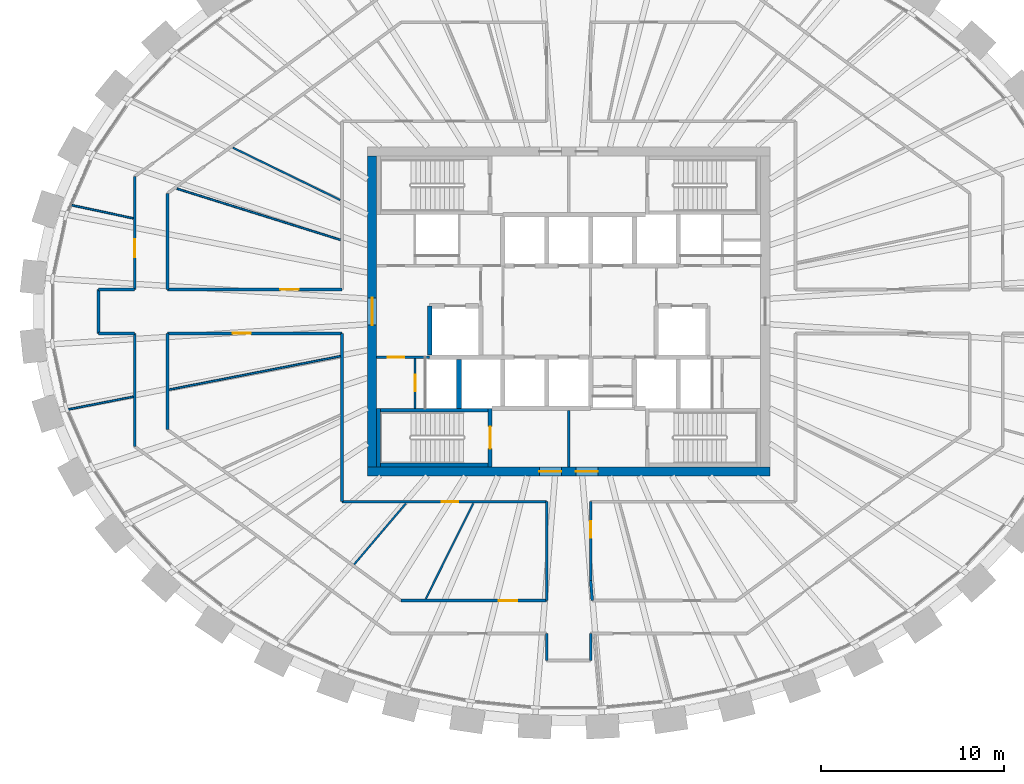
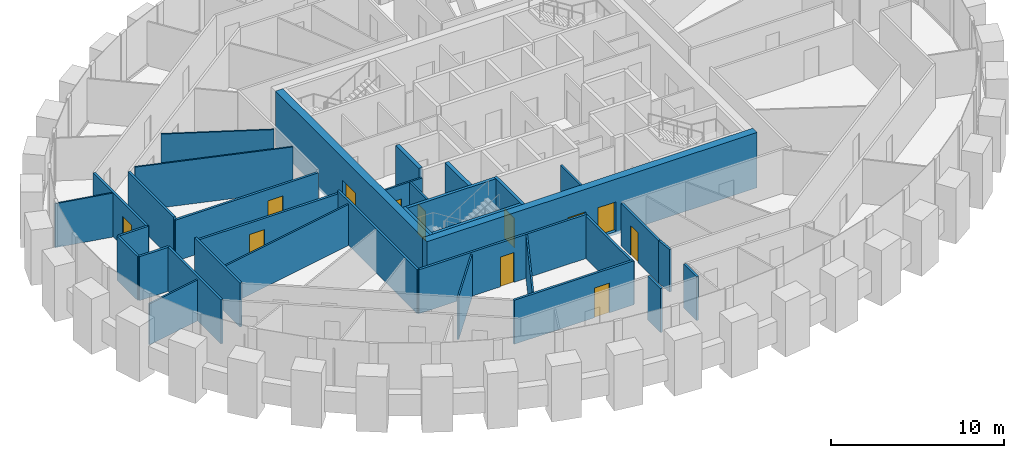
# One storey, part 6 of 11: 35 walls, 12 doors, 12 openings.
"""IFC4 building model written with IfcOpenShell, lengths in metres."""

from ifc_helpers import new_model, si_unit, direction, frame, frame_2d, origin, place, context, subcontext, project, spatial, rectangle, extrude, source, transform, mapped, material, layer, layer_set, type_object, element, fill, save


model = new_model("IFC4")

# Units and contexts
model_context = context("Model", 3, precision=1e-05, world=origin(), true_north=direction((0.0, 1.0)))
body_context = subcontext(model_context, "Body", "Model", "MODEL_VIEW")
ifc_project = project(units=[si_unit("LENGTHUNIT", "METRE"), si_unit("AREAUNIT", "SQUARE_METRE"), si_unit("VOLUMEUNIT", "CUBIC_METRE"), si_unit("PLANEANGLEUNIT", "RADIAN"), si_unit("MASSUNIT", "GRAM", prefix="KILO")], contexts=[model_context])

# Site, building, storey
site_placement = place(None, origin())
site = spatial("IfcSite", under=ifc_project, at=site_placement, CompositionType="ELEMENT")
building_placement = place(site_placement, origin())
building = spatial("IfcBuilding", under=site, at=building_placement, Name="Embergate Tower", CompositionType="ELEMENT")
storey_placement = place(building_placement, frame((0.0, 0.0, 324.699951171875)))
storey = spatial("IfcBuildingStorey", under=building, at=storey_placement, Name="L76", CompositionType="ELEMENT", Elevation=324.699951171875)

# Wall, openings, doors
ifc_material_1 = material(Name="Concrete C50", Category="concrete")
ifc_layer_1 = layer(ifc_material_1, 0.5)
ifc_layer_set_1 = layer_set([ifc_layer_1], Name="Concrete C50")
wall_type_1 = type_object("IfcWallType", Name="Core outer wall C50 500", PredefinedType="SHEAR", material=ifc_layer_set_1)
shared_shape_1 = source(origin(), body_context, "Body", "SweptSolid", [
    extrude(rectangle(XDim=22.0, YDim=0.5, at=frame_2d((11.0, 0.0))), origin(), (0.0, 0.0, 1.0), 3.89990234375),
])
wall_1_placement = place(storey_placement, frame((-11.0, -8.75, -0.199951171875), z_axis=(0.0, 0.0, 1.0), x_axis=(1.0, 0.0, 0.0)))
wall_1 = element("IfcWall", 1, at=wall_1_placement, inside=storey, type_object=wall_type_1, Name="CW-L76-S", PredefinedType="SHEAR", context=body_context, shape_type="MappedRepresentation", body=[
    mapped(shared_shape_1, transform((0.0, 0.0, 0.0))),
])
shared_shape_2 = source(origin(), body_context, "Body", "SweptSolid", [
    extrude(rectangle(XDim=1.199951171875, YDim=2.10009765625, at=frame_2d((0.60009765625, 1.050048828125))), frame((0.0, 0.260009765625, 0.0), z_axis=(0.0, -1.0, 0.0), x_axis=(1.0, 0.0, 0.0)), (0.0, 0.0, 1.0), 0.52001953125),
])
opening_1_placement = place(wall_1_placement, frame((9.39990234375, 0.0, 0.199951171875)))
opening_1 = element("IfcOpeningElement", 2, at=opening_1_placement, cuts=wall_1, Name="Opening IF-1", PredefinedType="OPENING", context=body_context, shape_type="MappedRepresentation", body=[
    mapped(shared_shape_2, transform((0.0, 0.0, 0.0))),
])
opening_2_placement = place(wall_1_placement, frame((11.39990234375, 0.0, 0.199951171875)))
opening_2 = element("IfcOpeningElement", 3, at=opening_2_placement, cuts=wall_1, Name="Opening IF-1", PredefinedType="OPENING", context=body_context, shape_type="MappedRepresentation", body=[
    mapped(shared_shape_2, transform((0.0, 0.0, 0.0))),
])
ifc_material_2 = material(Name="Escape fire door 1200")
door_type_1 = type_object("IfcDoorType", Name="Escape fire door 1200", OperationType="SINGLE_SWING_LEFT", PredefinedType="DOOR", material=ifc_material_2)
shared_shape_3 = source(origin(), body_context, "Body", "SweptSolid", [
    extrude(rectangle(XDim=1.199951171875, YDim=2.10009765625, at=frame_2d((0.60009765625, 1.050048828125))), frame((0.0, 0.02490234375, 0.0), z_axis=(0.0, -1.0, 0.0), x_axis=(1.0, 0.0, 0.0)), (0.0, 0.0, 1.0), 0.050048828125),
])
door_1_placement = place(opening_1_placement, origin())
door_1 = element("IfcDoor", 4, at=door_1_placement, inside=storey, type_object=door_type_1, Name="IF-1 door", OperationType="SINGLE_SWING_RIGHT", OverallHeight=2.10009765625, OverallWidth=1.199951171875, PredefinedType="DOOR", context=body_context, shape_type="MappedRepresentation", body=[
    mapped(shared_shape_3, transform((0.0, 0.0, 0.0))),
])
fill(opening_1, door_1)
door_2_placement = place(opening_2_placement, origin())
door_2 = element("IfcDoor", 5, at=door_2_placement, inside=storey, type_object=door_type_1, Name="IF-1 door", OperationType="SINGLE_SWING_RIGHT", OverallHeight=2.10009765625, OverallWidth=1.199951171875, PredefinedType="DOOR", context=body_context, shape_type="MappedRepresentation", body=[
    mapped(shared_shape_3, transform((0.0, 0.0, 0.0))),
])
fill(opening_2, door_2)

# Wall, opening, door
shared_shape_4 = source(origin(), body_context, "Body", "SweptSolid", [
    extrude(rectangle(XDim=17.0, YDim=0.5, at=frame_2d((8.5, 0.0))), origin(), (0.0, 0.0, 1.0), 3.89990234375),
])
wall_2_placement = place(storey_placement, frame((-10.75, -8.5, -0.199951171875), z_axis=(0.0, 0.0, 1.0), x_axis=(0.0, 1.0, 0.0)))
wall_2 = element("IfcWall", 6, at=wall_2_placement, inside=storey, type_object=wall_type_1, Name="CW-L76-W", PredefinedType="SHEAR", context=body_context, shape_type="MappedRepresentation", body=[
    mapped(shared_shape_4, transform((0.0, 0.0, 0.0))),
])
shared_shape_5 = source(origin(), body_context, "Body", "SweptSolid", [
    extrude(rectangle(XDim=1.5, YDim=2.10009765625, at=frame_2d((0.75, 1.050048828125))), frame((0.0, 0.260009765625, 0.0), z_axis=(0.0, -1.0, 0.0), x_axis=(1.0, 0.0, 0.0)), (0.0, 0.0, 1.0), 0.52001953125),
])
opening_3_placement = place(wall_2_placement, frame((7.75, 0.0, 0.199951171875)))
opening_3 = element("IfcOpeningElement", 7, at=opening_3_placement, cuts=wall_2, Name="Opening IF-3", PredefinedType="OPENING", context=body_context, shape_type="MappedRepresentation", body=[
    mapped(shared_shape_5, transform((0.0, 0.0, 0.0))),
])
ifc_material_3 = material(Name="Lobby fire door pair 1500")
door_type_2 = type_object("IfcDoorType", Name="Lobby fire door pair 1500", OperationType="DOUBLE_DOOR_SINGLE_SWING", PredefinedType="DOOR", material=ifc_material_3)
shared_shape_6 = source(origin(), body_context, "Body", "SweptSolid", [
    extrude(rectangle(XDim=1.5, YDim=2.10009765625, at=frame_2d((0.75, 1.050048828125))), frame((0.0, 0.02490234375, 0.0), z_axis=(0.0, -1.0, 0.0), x_axis=(1.0, 0.0, 0.0)), (0.0, 0.0, 1.0), 0.050048828125),
])
door_3_placement = place(opening_3_placement, origin())
door_3 = element("IfcDoor", 8, at=door_3_placement, inside=storey, type_object=door_type_2, Name="IF-3 door", OperationType="DOUBLE_DOOR_SINGLE_SWING", OverallHeight=2.10009765625, OverallWidth=1.5, PredefinedType="DOOR", context=body_context, shape_type="MappedRepresentation", body=[
    mapped(shared_shape_6, transform((0.0, 0.0, 0.0))),
])
fill(opening_3, door_3)

# Walls
ifc_layer_2 = layer(ifc_material_1, 0.25)
ifc_layer_set_2 = layer_set([ifc_layer_2], Name="Concrete C50")
wall_type_2 = type_object("IfcWallType", Name="Hoistway wall reinforced concrete 250", PredefinedType="SHEAR", material=ifc_layer_set_2)
shared_shape_7 = source(origin(), body_context, "Body", "SweptSolid", [
    extrude(rectangle(XDim=2.675048828125, YDim=0.25, at=frame_2d((1.33740234375, 0.0))), origin(), (0.0, 0.0, 1.0), 3.699951171875),
])
for number, where, z_axis, x_axis, name in (
    (9, (-6.0, -5.300048828125, 0.0), (0.0, 0.0, 1.0), (0.0, 1.0, 0.0), "HW-1 wall"),
    (10, (-7.60009765625, 0.300048828125, 0.0), (0.0, 0.0, 1.0), (0.0, -1.0, 0.0), "HW-1 wall"),
):
    element("IfcWall", number, at=place(storey_placement, frame(where, z_axis=z_axis, x_axis=x_axis)), inside=storey, type_object=wall_type_2, Name=name, PredefinedType="SHEAR", context=body_context, shape_type="MappedRepresentation", body=[
        mapped(shared_shape_7, transform((0.0, 0.0, 0.0))),
    ])
ifc_layer_3 = layer(ifc_material_1, 0.199951171875)
ifc_layer_set_3 = layer_set([ifc_layer_3], Name="Concrete C50")
wall_type_3 = type_object("IfcWallType", Name="Stair enclosure wall reinforced concrete 250", PredefinedType="SHEAR", material=ifc_layer_set_3)
shared_shape_8 = source(origin(), body_context, "Body", "SweptSolid", [
    extrude(rectangle(XDim=6.300048828125, YDim=0.199951171875, at=frame_2d((3.14990234375, 0.0))), origin(), (0.0, 0.0, 1.0), 3.699951171875),
])
wall_3_placement = place(storey_placement, frame((-10.5, -5.39990234375, 0.0), z_axis=(0.0, 0.0, 1.0), x_axis=(1.0, 0.0, 0.0)))
element("IfcWall", 11, at=wall_3_placement, inside=storey, type_object=wall_type_3, Name="SE-1 wall", PredefinedType="SHEAR", context=body_context, shape_type="MappedRepresentation", body=[
    mapped(shared_shape_8, transform((0.0, 0.0, 0.0))),
])

# Wall, opening, door
ifc_material_4 = material(Name="Core partition blockwork 120")
ifc_layer_4 = layer(ifc_material_4, 0.1201171875)
ifc_layer_set_4 = layer_set([ifc_layer_4], Name="Core partition blockwork 120")
wall_type_4 = type_object("IfcWallType", Name="Core partition blockwork 120", PredefinedType="PARTITIONING", material=ifc_layer_set_4)
shared_shape_9 = source(origin(), body_context, "Body", "SweptSolid", [
    extrude(rectangle(XDim=2.739990234375, YDim=0.1201171875, at=frame_2d((1.3701171875, 0.0))), origin(), (0.0, 0.0, 1.0), 3.10009765625),
])
wall_4_placement = place(storey_placement, frame((-8.39990234375, -2.56005859375, 0.0), z_axis=(0.0, 0.0, 1.0), x_axis=(0.0, -1.0, 0.0)))
wall_4 = element("IfcWall", 12, at=wall_4_placement, inside=storey, type_object=wall_type_4, Name="IP-3 wall", PredefinedType="PARTITIONING", context=body_context, shape_type="MappedRepresentation", body=[
    mapped(shared_shape_9, transform((0.0, 0.0, 0.0))),
])
shared_shape_10 = source(origin(), body_context, "Body", "SweptSolid", [
    extrude(rectangle(XDim=0.89990234375, YDim=2.10009765625, at=frame_2d((0.449951171875, 1.050048828125))), frame((0.0, 0.070068359375, 0.0), z_axis=(0.0, -1.0, 0.0), x_axis=(1.0, 0.0, 0.0)), (0.0, 0.0, 1.0), 0.14013671875),
])
opening_4_placement = place(wall_4_placement, frame((0.889892578125, 0.0, 0.0)))
opening_4 = element("IfcOpeningElement", 13, at=opening_4_placement, cuts=wall_4, Name="Opening ID-1", PredefinedType="OPENING", context=body_context, shape_type="MappedRepresentation", body=[
    mapped(shared_shape_10, transform((0.0, 0.0, 0.0))),
])
ifc_material_5 = material(Name="Interior door 900")
door_type_3 = type_object("IfcDoorType", Name="Interior door 900", OperationType="SINGLE_SWING_LEFT", PredefinedType="DOOR", material=ifc_material_5)
shared_shape_11 = source(origin(), body_context, "Body", "SweptSolid", [
    extrude(rectangle(XDim=0.89990234375, YDim=2.10009765625, at=frame_2d((0.449951171875, 1.050048828125))), frame((0.0, 0.02490234375, 0.0), z_axis=(0.0, -1.0, 0.0), x_axis=(1.0, 0.0, 0.0)), (0.0, 0.0, 1.0), 0.050048828125),
])
door_4_placement = place(opening_4_placement, origin())
door_4 = element("IfcDoor", 14, at=door_4_placement, inside=storey, type_object=door_type_3, Name="ID-1 door", OperationType="SINGLE_SWING_RIGHT", OverallHeight=2.10009765625, OverallWidth=0.89990234375, PredefinedType="DOOR", context=body_context, shape_type="MappedRepresentation", body=[
    mapped(shared_shape_11, transform((0.0, 0.0, 0.0))),
])
fill(opening_4, door_4)

shared_shape_12 = source(origin(), body_context, "Body", "SweptSolid", [
    extrude(rectangle(XDim=3.199951171875, YDim=0.199951171875, at=frame_2d((1.60009765625, 0.0))), origin(), (0.0, 0.0, 1.0), 3.699951171875),
])
wall_5_placement = place(storey_placement, frame((-4.300048828125, -8.5, 0.0), z_axis=(0.0, 0.0, 1.0), x_axis=(0.0, 1.0, 0.0)))
wall_5 = element("IfcWall", 15, at=wall_5_placement, inside=storey, type_object=wall_type_3, Name="SE-1 wall", PredefinedType="SHEAR", context=body_context, shape_type="MappedRepresentation", body=[
    mapped(shared_shape_12, transform((0.0, 0.0, 0.0))),
])
shared_shape_13 = source(origin(), body_context, "Body", "SweptSolid", [
    extrude(rectangle(XDim=1.199951171875, YDim=2.10009765625, at=frame_2d((0.60009765625, 1.050048828125))), frame((0.0, 0.10986328125, 0.0), z_axis=(0.0, -1.0, 0.0), x_axis=(1.0, 0.0, 0.0)), (0.0, 0.0, 1.0), 0.219970703125),
])
opening_5_placement = place(wall_5_placement, frame((1.0, 0.0, 0.0)))
opening_5 = element("IfcOpeningElement", 16, at=opening_5_placement, cuts=wall_5, Name="Opening IF-2", PredefinedType="OPENING", context=body_context, shape_type="MappedRepresentation", body=[
    mapped(shared_shape_13, transform((0.0, 0.0, 0.0))),
])
ifc_material_6 = material(Name="Stair enclosure door 1200")
door_type_4 = type_object("IfcDoorType", Name="Stair enclosure door 1200", OperationType="SINGLE_SWING_LEFT", PredefinedType="DOOR", material=ifc_material_6)
door_5_placement = place(opening_5_placement, origin())
door_5 = element("IfcDoor", 17, at=door_5_placement, inside=storey, type_object=door_type_4, Name="IF-2 door", OperationType="SINGLE_SWING_LEFT", OverallHeight=2.10009765625, OverallWidth=1.199951171875, PredefinedType="DOOR", context=body_context, shape_type="MappedRepresentation", body=[
    mapped(shared_shape_3, transform((0.0, 0.0, 0.0))),
])
fill(opening_5, door_5)

# Walls
shared_shape_14 = source(origin(), body_context, "Body", "SweptSolid", [
    extrude(rectangle(XDim=6.298095703125, YDim=0.199951171875, at=frame_2d((3.14892578125, 0.0))), origin(), (0.0, 0.0, 1.0), 3.699951171875),
])
wall_6_placement = place(storey_placement, frame((-10.5, -8.39990234375, 0.0), z_axis=(0.0, 0.0, 1.0), x_axis=(1.0, 0.0, 0.0)))
element("IfcWall", 18, at=wall_6_placement, inside=storey, type_object=wall_type_3, Name="SE-1 wall", PredefinedType="SHEAR", context=body_context, shape_type="MappedRepresentation", body=[
    mapped(shared_shape_14, transform((0.0, 0.0, 0.0))),
])
shared_shape_15 = source(origin(), body_context, "Body", "SweptSolid", [
    extrude(rectangle(XDim=3.197998046875, YDim=0.199951171875, at=frame_2d((1.59912109375, 0.0))), origin(), (0.0, 0.0, 1.0), 3.699951171875),
])
wall_7_placement = place(storey_placement, frame((-10.39990234375, -5.302001953125, 0.0), z_axis=(0.0, 0.0, 1.0), x_axis=(0.0, -1.0, 0.0)))
element("IfcWall", 19, at=wall_7_placement, inside=storey, type_object=wall_type_3, Name="SE-1 wall", PredefinedType="SHEAR", context=body_context, shape_type="MappedRepresentation", body=[
    mapped(shared_shape_15, transform((0.0, 0.0, 0.0))),
])
ifc_material_7 = material(Name="Corridor wall dry-lined 150")
ifc_layer_5 = layer(ifc_material_7, 0.14990234375)
ifc_layer_set_5 = layer_set([ifc_layer_5], Name="Corridor wall dry-lined 150")
wall_type_5 = type_object("IfcWallType", Name="Corridor wall dry-lined 150", PredefinedType="PARTITIONING", material=ifc_layer_set_5)
shared_shape_16 = source(origin(), body_context, "Body", "SweptSolid", [
    extrude(rectangle(XDim=9.199951171875, YDim=0.14990234375, at=frame_2d((4.60009765625, 0.0))), origin(), (0.0, 0.0, 1.0), 3.10009765625),
])
wall_8_placement = place(storey_placement, frame((-12.39990234375, -10.39990234375, 0.0), z_axis=(0.0, 0.0, 1.0), x_axis=(0.0, 1.0, 0.0)))
element("IfcWall", 20, at=wall_8_placement, inside=storey, type_object=wall_type_5, Name="IP-2 wall", PredefinedType="PARTITIONING", context=body_context, shape_type="MappedRepresentation", body=[
    mapped(shared_shape_16, transform((0.0, 0.0, 0.0))),
])

# Wall, opening, door
shared_shape_17 = source(origin(), body_context, "Body", "SweptSolid", [
    extrude(rectangle(XDim=11.199951171875, YDim=0.14990234375, at=frame_2d((5.60009765625, 0.0))), origin(), (0.0, 0.0, 1.0), 3.10009765625),
])
wall_9_placement = place(storey_placement, frame((-1.199951171875, -10.39990234375, 0.0), z_axis=(0.0, 0.0, 1.0), x_axis=(-1.0, 0.0, 0.0)))
wall_9 = element("IfcWall", 21, at=wall_9_placement, inside=storey, type_object=wall_type_5, Name="IP-2 wall", PredefinedType="PARTITIONING", context=body_context, shape_type="MappedRepresentation", body=[
    mapped(shared_shape_17, transform((0.0, 0.0, 0.0))),
])
shared_shape_18 = source(origin(), body_context, "Body", "SweptSolid", [
    extrude(rectangle(XDim=0.89990234375, YDim=2.10009765625, at=frame_2d((0.449951171875, 1.050048828125))), frame((0.0, 0.0849609375, 0.0), z_axis=(0.0, -1.0, 0.0), x_axis=(1.0, 0.0, 0.0)), (0.0, 0.0, 1.0), 0.169921875),
])
opening_6_placement = place(wall_9_placement, frame((4.85009765625, 0.0, 0.0)))
opening_6 = element("IfcOpeningElement", 22, at=opening_6_placement, cuts=wall_9, Name="Opening IF-1c", PredefinedType="OPENING", context=body_context, shape_type="MappedRepresentation", body=[
    mapped(shared_shape_18, transform((0.0, 0.0, 0.0))),
])
ifc_material_8 = material(Name="Escape fire door 900")
door_type_5 = type_object("IfcDoorType", Name="Escape fire door 900", OperationType="SINGLE_SWING_LEFT", PredefinedType="DOOR", material=ifc_material_8)
door_6_placement = place(opening_6_placement, origin())
door_6 = element("IfcDoor", 23, at=door_6_placement, inside=storey, type_object=door_type_5, Name="IF-1 door", OperationType="SINGLE_SWING_RIGHT", OverallHeight=2.10009765625, OverallWidth=0.89990234375, PredefinedType="DOOR", context=body_context, shape_type="MappedRepresentation", body=[
    mapped(shared_shape_11, transform((0.0, 0.0, 0.0))),
])
fill(opening_6, door_6)

# Wall
shared_shape_19 = source(origin(), body_context, "Body", "SweptSolid", [
    extrude(rectangle(XDim=2.39990234375, YDim=0.14990234375, at=frame_2d((1.199951171875, 0.0))), origin(), (0.0, 0.0, 1.0), 3.10009765625),
])
wall_10_placement = place(storey_placement, frame((-25.714111328125, -1.199951171875, 0.0), z_axis=(0.0, 0.0, 1.0), x_axis=(0.0, 1.0, 0.0)))
element("IfcWall", 24, at=wall_10_placement, inside=storey, type_object=wall_type_5, Name="IP-2 wall", PredefinedType="PARTITIONING", context=body_context, shape_type="MappedRepresentation", body=[
    mapped(shared_shape_19, transform((0.0, 0.0, 0.0))),
])

# Wall, opening, door
shared_shape_20 = source(origin(), body_context, "Body", "SweptSolid", [
    extrude(rectangle(XDim=2.89990234375, YDim=0.1201171875, at=frame_2d((1.449951171875, 0.0))), origin(), (0.0, 0.0, 1.0), 3.10009765625),
])
wall_11_placement = place(storey_placement, frame((-7.60009765625, -2.5, 0.0), z_axis=(0.0, 0.0, 1.0), x_axis=(-1.0, 0.0, 0.0)))
wall_11 = element("IfcWall", 25, at=wall_11_placement, inside=storey, type_object=wall_type_4, Name="IP-3 wall", PredefinedType="PARTITIONING", context=body_context, shape_type="MappedRepresentation", body=[
    mapped(shared_shape_20, transform((0.0, 0.0, 0.0))),
])
opening_7_placement = place(wall_11_placement, frame((1.39990234375, 0.0, 0.0)))
opening_7 = element("IfcOpeningElement", 26, at=opening_7_placement, cuts=wall_11, Name="Opening ID-1", PredefinedType="OPENING", context=body_context, shape_type="MappedRepresentation", body=[
    mapped(shared_shape_10, transform((0.0, 0.0, 0.0))),
])
door_7_placement = place(opening_7_placement, origin())
door_7 = element("IfcDoor", 27, at=door_7_placement, inside=storey, type_object=door_type_3, Name="ID-1 door", OperationType="SINGLE_SWING_LEFT", OverallHeight=2.10009765625, OverallWidth=0.89990234375, PredefinedType="DOOR", context=body_context, shape_type="MappedRepresentation", body=[
    mapped(shared_shape_11, transform((0.0, 0.0, 0.0))),
])
fill(opening_7, door_7)

# Walls
shared_shape_21 = source(origin(), body_context, "Body", "SweptSolid", [
    extrude(rectangle(XDim=3.074951171875, YDim=0.1201171875, at=frame_2d((1.53759765625, 0.0))), origin(), (0.0, 0.0, 1.0), 3.10009765625),
])
wall_12_placement = place(storey_placement, frame((0.0, -8.5, 0.0), z_axis=(0.0, 0.0, 1.0), x_axis=(0.0, 1.0, 0.0)))
element("IfcWall", 28, at=wall_12_placement, inside=storey, type_object=wall_type_4, Name="IP-3 wall", PredefinedType="PARTITIONING", context=body_context, shape_type="MappedRepresentation", body=[
    mapped(shared_shape_21, transform((0.0, 0.0, 0.0))),
])
shared_shape_22 = source(origin(), body_context, "Body", "SweptSolid", [
    extrude(rectangle(XDim=6.178955078125, YDim=0.14990234375, at=frame_2d((3.08935546875, 0.0))), origin(), (0.0, 0.0, 1.0), 3.10009765625),
])
wall_13_placement = place(storey_placement, frame((-23.73291015625, -7.37890625, 0.0), z_axis=(0.0, 0.0, 1.0), x_axis=(0.0, 1.0, 0.0)))
element("IfcWall", 29, at=wall_13_placement, inside=storey, type_object=wall_type_5, Name="IP-2 wall", PredefinedType="PARTITIONING", context=body_context, shape_type="MappedRepresentation", body=[
    mapped(shared_shape_22, transform((0.0, 0.0, 0.0))),
])

# Wall, opening, door
wall_14_placement = place(storey_placement, frame((-23.73291015625, 1.199951171875, 0.0), z_axis=(0.0, 0.0, 1.0), x_axis=(0.0, 1.0, 0.0)))
wall_14 = element("IfcWall", 30, at=wall_14_placement, inside=storey, type_object=wall_type_5, Name="IP-2 wall", PredefinedType="PARTITIONING", context=body_context, shape_type="MappedRepresentation", body=[
    mapped(shared_shape_22, transform((0.0, 0.0, 0.0))),
])
shared_shape_23 = source(origin(), body_context, "Body", "SweptSolid", [
    extrude(rectangle(XDim=1.0, YDim=2.10009765625, at=frame_2d((0.5, 1.050048828125))), frame((0.0, 0.0849609375, 0.0), z_axis=(0.0, -1.0, 0.0), x_axis=(1.0, 0.0, 0.0)), (0.0, 0.0, 1.0), 0.169921875),
])
opening_8_placement = place(wall_14_placement, frame((1.757080078125, 0.0, 0.0)))
opening_8 = element("IfcOpeningElement", 31, at=opening_8_placement, cuts=wall_14, Name="Opening ID-2", PredefinedType="OPENING", context=body_context, shape_type="MappedRepresentation", body=[
    mapped(shared_shape_23, transform((0.0, 0.0, 0.0))),
])
ifc_material_9 = material(Name="Interior door 1000")
door_type_6 = type_object("IfcDoorType", Name="Interior door 1000", OperationType="SINGLE_SWING_LEFT", PredefinedType="DOOR", material=ifc_material_9)
shared_shape_24 = source(origin(), body_context, "Body", "SweptSolid", [
    extrude(rectangle(XDim=1.0, YDim=2.10009765625, at=frame_2d((0.5, 1.050048828125))), frame((0.0, 0.02490234375, 0.0), z_axis=(0.0, -1.0, 0.0), x_axis=(1.0, 0.0, 0.0)), (0.0, 0.0, 1.0), 0.050048828125),
])
door_8_placement = place(opening_8_placement, origin())
door_8 = element("IfcDoor", 32, at=door_8_placement, inside=storey, type_object=door_type_6, Name="ID-2 door", OperationType="SINGLE_SWING_LEFT", OverallHeight=2.10009765625, OverallWidth=1.0, PredefinedType="DOOR", context=body_context, shape_type="MappedRepresentation", body=[
    mapped(shared_shape_24, transform((0.0, 0.0, 0.0))),
])
fill(opening_8, door_8)

# Walls
shared_shape_25 = source(origin(), body_context, "Body", "SweptSolid", [
    extrude(rectangle(XDim=5.26513671875, YDim=0.14990234375, at=frame_2d((2.632568359375, 0.0))), origin(), (0.0, 0.0, 1.0), 3.10009765625),
])
for number, where, z_axis, x_axis, name in (
    (33, (-21.93310546875, -1.199951171875, 0.0), (0.0, 0.0, 1.0), (0.0, -1.0, 0.0), "IP-2 wall"),
    (34, (-21.93310546875, 1.199951171875, 0.0), (0.0, 0.0, 1.0), (0.0, 1.0, 0.0), "IP-2 wall"),
):
    element("IfcWall", number, at=place(storey_placement, frame(where, z_axis=z_axis, x_axis=x_axis)), inside=storey, type_object=wall_type_5, Name=name, PredefinedType="PARTITIONING", context=body_context, shape_type="MappedRepresentation", body=[
        mapped(shared_shape_25, transform((0.0, 0.0, 0.0))),
    ])
shared_shape_26 = source(origin(), body_context, "Body", "SweptSolid", [
    extrude(rectangle(XDim=1.476806640625, YDim=0.14990234375, at=frame_2d((0.73828125, 0.0))), origin(), (0.0, 0.0, 1.0), 3.10009765625),
])
for number, where, z_axis, x_axis, name in (
    (35, (1.199951171875, -17.611083984375, 0.0), (0.0, 0.0, 1.0), (0.0, -1.0, 0.0), "IP-2 wall"),
    (36, (-1.199951171875, -19.087890625, 0.0), (0.0, 0.0, 1.0), (0.0, 1.0, 0.0), "IP-2 wall"),
):
    element("IfcWall", number, at=place(storey_placement, frame(where, z_axis=z_axis, x_axis=x_axis)), inside=storey, type_object=wall_type_5, Name=name, PredefinedType="PARTITIONING", context=body_context, shape_type="MappedRepresentation", body=[
        mapped(shared_shape_26, transform((0.0, 0.0, 0.0))),
    ])

# Wall, opening, door
shared_shape_27 = source(origin(), body_context, "Body", "SweptSolid", [
    extrude(rectangle(XDim=7.963134765625, YDim=0.14990234375, at=frame_2d((3.9814453125, 0.0))), origin(), (0.0, 0.0, 1.0), 3.10009765625),
])
wall_15_placement = place(storey_placement, frame((-1.199951171875, -15.81103515625, 0.0), z_axis=(0.0, 0.0, 1.0), x_axis=(-1.0, 0.0, 0.0)))
wall_15 = element("IfcWall", 37, at=wall_15_placement, inside=storey, type_object=wall_type_5, Name="IP-2 wall", PredefinedType="PARTITIONING", context=body_context, shape_type="MappedRepresentation", body=[
    mapped(shared_shape_27, transform((0.0, 0.0, 0.0))),
])
opening_9_placement = place(wall_15_placement, frame((1.616943359375, 0.0, 0.0)))
opening_9 = element("IfcOpeningElement", 38, at=opening_9_placement, cuts=wall_15, Name="Opening ID-2", PredefinedType="OPENING", context=body_context, shape_type="MappedRepresentation", body=[
    mapped(shared_shape_23, transform((0.0, 0.0, 0.0))),
])
door_9_placement = place(opening_9_placement, origin())
door_9 = element("IfcDoor", 39, at=door_9_placement, inside=storey, type_object=door_type_6, Name="ID-2 door", OperationType="SINGLE_SWING_LEFT", OverallHeight=2.10009765625, OverallWidth=1.0, PredefinedType="DOOR", context=body_context, shape_type="MappedRepresentation", body=[
    mapped(shared_shape_24, transform((0.0, 0.0, 0.0))),
])
fill(opening_9, door_9)

# Walls
shared_shape_28 = source(origin(), body_context, "Body", "SweptSolid", [
    extrude(rectangle(XDim=5.4111328125, YDim=0.14990234375, at=frame_2d((2.70556640625, 0.0))), origin(), (0.0, 0.0, 1.0), 3.0),
])
wall_16_placement = place(storey_placement, frame((-1.199951171875, -10.39990234375, 0.0), z_axis=(0.0, 0.0, 1.0), x_axis=(0.0, -1.0, 0.0)))
element("IfcWall", 40, at=wall_16_placement, inside=storey, type_object=wall_type_5, Name="IP-2 wall", PredefinedType="PARTITIONING", context=body_context, shape_type="MappedRepresentation", body=[
    mapped(shared_shape_28, transform((0.0, 0.0, 0.0))),
])
shared_shape_29 = source(origin(), body_context, "Body", "SweptSolid", [
    extrude(rectangle(XDim=1.110595703125, YDim=0.14990234375, at=frame_2d((0.55517578125, 0.0))), origin(), (0.0, 0.0, 1.0), 3.0),
])
wall_17_placement = place(storey_placement, frame((1.2900390625, -15.81103515625, 0.0), z_axis=(0.0, 0.0, 1.0), x_axis=(-0.081116893589, 0.99670459494, 0.0)))
element("IfcWall", 41, at=wall_17_placement, inside=storey, type_object=wall_type_5, Name="IP-2 wall", PredefinedType="PARTITIONING", context=body_context, shape_type="MappedRepresentation", body=[
    mapped(shared_shape_29, transform((0.0, 0.0, 0.0))),
])

# Wall, opening, door
shared_shape_30 = source(origin(), body_context, "Body", "SweptSolid", [
    extrude(rectangle(XDim=4.30419921875, YDim=0.14990234375, at=frame_2d((2.152099609375, 0.0))), origin(), (0.0, 0.0, 1.0), 3.0),
])
wall_18_placement = place(storey_placement, frame((1.199951171875, -14.7041015625, 0.0), z_axis=(0.0, 0.0, 1.0), x_axis=(0.0, 1.0, 0.0)))
wall_18 = element("IfcWall", 42, at=wall_18_placement, inside=storey, type_object=wall_type_5, Name="IP-2 wall", PredefinedType="PARTITIONING", context=body_context, shape_type="MappedRepresentation", body=[
    mapped(shared_shape_30, transform((0.0, 0.0, 0.0))),
])
opening_10_placement = place(wall_18_placement, frame((2.3349609375, 0.0, 0.0)))
opening_10 = element("IfcOpeningElement", 43, at=opening_10_placement, cuts=wall_18, Name="Opening IF-1c", PredefinedType="OPENING", context=body_context, shape_type="MappedRepresentation", body=[
    mapped(shared_shape_18, transform((0.0, 0.0, 0.0))),
])
door_10_placement = place(opening_10_placement, origin())
door_10 = element("IfcDoor", 44, at=door_10_placement, inside=storey, type_object=door_type_5, Name="IF-1 door", OperationType="SINGLE_SWING_RIGHT", OverallHeight=2.10009765625, OverallWidth=0.89990234375, PredefinedType="DOOR", context=body_context, shape_type="MappedRepresentation", body=[
    mapped(shared_shape_11, transform((0.0, 0.0, 0.0))),
])
fill(opening_10, door_10)

# Walls
shared_shape_31 = source(origin(), body_context, "Body", "SweptSolid", [
    extrude(rectangle(XDim=1.981201171875, YDim=0.14990234375, at=frame_2d((0.99072265625, 0.0))), origin(), (0.0, 0.0, 1.0), 3.10009765625),
])
for number, where, z_axis, x_axis, name in (
    (45, (-23.73291015625, -1.199951171875, 0.0), (0.0, 0.0, 1.0), (-1.0, 0.0, 0.0), "IP-2 wall"),
    (46, (-25.714111328125, 1.199951171875, 0.0), (0.0, 0.0, 1.0), (1.0, 0.0, 0.0), "IP-2 wall"),
):
    element("IfcWall", number, at=place(storey_placement, frame(where, z_axis=z_axis, x_axis=x_axis)), inside=storey, type_object=wall_type_5, Name=name, PredefinedType="PARTITIONING", context=body_context, shape_type="MappedRepresentation", body=[
        mapped(shared_shape_31, transform((0.0, 0.0, 0.0))),
    ])

# Wall, opening, door
shared_shape_32 = source(origin(), body_context, "Body", "SweptSolid", [
    extrude(rectangle(XDim=9.533203125, YDim=0.14990234375, at=frame_2d((4.7666015625, 0.0))), origin(), (0.0, 0.0, 1.0), 2.900146484375),
])
wall_19_placement = place(storey_placement, frame((-12.39990234375, 1.199951171875, 0.0), z_axis=(0.0, 0.0, 1.0), x_axis=(-1.0, 0.0, 0.0)))
wall_19 = element("IfcWall", 47, at=wall_19_placement, inside=storey, type_object=wall_type_5, Name="IP-2 wall", PredefinedType="PARTITIONING", context=body_context, shape_type="MappedRepresentation", body=[
    mapped(shared_shape_32, transform((0.0, 0.0, 0.0))),
])
opening_11_placement = place(wall_19_placement, frame((2.363037109375, 0.0, 0.0)))
opening_11 = element("IfcOpeningElement", 48, at=opening_11_placement, cuts=wall_19, Name="Opening ID-2", PredefinedType="OPENING", context=body_context, shape_type="MappedRepresentation", body=[
    mapped(shared_shape_23, transform((0.0, 0.0, 0.0))),
])
door_11_placement = place(opening_11_placement, origin())
door_11 = element("IfcDoor", 49, at=door_11_placement, inside=storey, type_object=door_type_6, Name="ID-2 door", OperationType="SINGLE_SWING_LEFT", OverallHeight=2.10009765625, OverallWidth=1.0, PredefinedType="DOOR", context=body_context, shape_type="MappedRepresentation", body=[
    mapped(shared_shape_24, transform((0.0, 0.0, 0.0))),
])
fill(opening_11, door_11)

wall_20_placement = place(storey_placement, frame((-12.39990234375, -1.199951171875, 0.0), z_axis=(0.0, 0.0, 1.0), x_axis=(-1.0, 0.0, 0.0)))
wall_20 = element("IfcWall", 50, at=wall_20_placement, inside=storey, type_object=wall_type_5, Name="IP-2 wall", PredefinedType="PARTITIONING", context=body_context, shape_type="MappedRepresentation", body=[
    mapped(shared_shape_32, transform((0.0, 0.0, 0.0))),
])
opening_12_placement = place(wall_20_placement, frame((4.97998046875, 0.0, 0.0)))
opening_12 = element("IfcOpeningElement", 51, at=opening_12_placement, cuts=wall_20, Name="Opening ID-2", PredefinedType="OPENING", context=body_context, shape_type="MappedRepresentation", body=[
    mapped(shared_shape_23, transform((0.0, 0.0, 0.0))),
])
door_12_placement = place(opening_12_placement, origin())
door_12 = element("IfcDoor", 52, at=door_12_placement, inside=storey, type_object=door_type_6, Name="ID-2 door", OperationType="SINGLE_SWING_RIGHT", OverallHeight=2.10009765625, OverallWidth=1.0, PredefinedType="DOOR", context=body_context, shape_type="MappedRepresentation", body=[
    mapped(shared_shape_24, transform((0.0, 0.0, 0.0))),
])
fill(opening_12, door_12)

# Walls
ifc_material_10 = material(Name="Partition dry-lined 100")
ifc_layer_6 = layer(ifc_material_10, 0.10009765625)
ifc_layer_set_6 = layer_set([ifc_layer_6], Name="Partition dry-lined 100")
wall_type_6 = type_object("IfcWallType", Name="Partition dry-lined 100", PredefinedType="PARTITIONING", material=ifc_layer_set_6)
shared_shape_33 = source(origin(), body_context, "Body", "SweptSolid", [
    extrude(rectangle(XDim=3.6787109375, YDim=0.10009765625, at=frame_2d((1.83935546875, 0.0))), origin(), (0.0, 0.0, 1.0), 2.900146484375),
])
wall_21_placement = place(storey_placement, frame((-23.81689453125, -4.6630859375, 0.0), z_axis=(0.0, 0.0, 1.0), x_axis=(-0.981356478925, -0.192196413266, 0.0)))
element("IfcWall", 53, at=wall_21_placement, inside=storey, type_object=wall_type_6, Name="IP-1 wall", PredefinedType="PARTITIONING", context=body_context, shape_type="MappedRepresentation", body=[
    mapped(shared_shape_33, transform((0.0, 0.0, 0.0))),
])
shared_shape_34 = source(origin(), body_context, "Body", "SweptSolid", [
    extrude(rectangle(XDim=9.54052734375, YDim=0.10009765625, at=frame_2d((4.770263671875, 0.0))), origin(), (0.0, 0.0, 1.0), 2.900146484375),
])
wall_22_placement = place(storey_placement, frame((-12.485107421875, -2.444091796875, 0.0), z_axis=(0.0, 0.0, 1.0), x_axis=(-0.981369795275, -0.192128407377, 0.0)))
element("IfcWall", 54, at=wall_22_placement, inside=storey, type_object=wall_type_6, Name="IP-1 wall", PredefinedType="PARTITIONING", context=body_context, shape_type="MappedRepresentation", body=[
    mapped(shared_shape_34, transform((0.0, 0.0, 0.0))),
])
shared_shape_35 = source(origin(), body_context, "Body", "SweptSolid", [
    extrude(rectangle(XDim=4.365478515625, YDim=0.10009765625, at=frame_2d((2.1826171875, 0.0))), origin(), (0.0, 0.0, 1.0), 3.0),
])
wall_23_placement = place(storey_placement, frame((-8.910888671875, -10.507080078125, 0.0), z_axis=(0.0, 0.0, 1.0), x_axis=(-0.64666898275, -0.762770756354, 0.0)))
element("IfcWall", 55, at=wall_23_placement, inside=storey, type_object=wall_type_6, Name="IP-1 wall", PredefinedType="PARTITIONING", context=body_context, shape_type="MappedRepresentation", body=[
    mapped(shared_shape_35, transform((0.0, 0.0, 0.0))),
])
shared_shape_36 = source(origin(), body_context, "Body", "SweptSolid", [
    extrude(rectangle(XDim=5.82666015625, YDim=0.10009765625, at=frame_2d((2.913330078125, 0.0))), origin(), (0.0, 0.0, 1.0), 3.10009765625),
])
wall_24_placement = place(storey_placement, frame((-5.219970703125, -10.4970703125, 0.0), z_axis=(0.0, 0.0, 1.0), x_axis=(-0.445352279929, -0.895355430408, 0.0)))
element("IfcWall", 56, at=wall_24_placement, inside=storey, type_object=wall_type_6, Name="IP-1 wall", PredefinedType="PARTITIONING", context=body_context, shape_type="MappedRepresentation", body=[
    mapped(shared_shape_36, transform((0.0, 0.0, 0.0))),
])
shared_shape_37 = source(origin(), body_context, "Body", "SweptSolid", [
    extrude(rectangle(XDim=6.525634765625, YDim=0.10009765625, at=frame_2d((3.2626953125, 0.0))), origin(), (0.0, 0.0, 1.0), 3.0),
])
wall_25_placement = place(storey_placement, frame((-12.4970703125, 6.095947265625, 0.0), z_axis=(0.0, 0.0, 1.0), x_axis=(-0.898761613835, 0.438437636953, 0.0)))
element("IfcWall", 57, at=wall_25_placement, inside=storey, type_object=wall_type_6, Name="IP-1 wall", PredefinedType="PARTITIONING", context=body_context, shape_type="MappedRepresentation", body=[
    mapped(shared_shape_37, transform((0.0, 0.0, 0.0))),
])
shared_shape_38 = source(origin(), body_context, "Body", "SweptSolid", [
    extrude(rectangle(XDim=3.519775390625, YDim=0.10009765625, at=frame_2d((1.759765625, 0.0))), origin(), (0.0, 0.0, 1.0), 3.10009765625),
])
wall_26_placement = place(storey_placement, frame((-23.818115234375, 5.094970703125, 0.0), z_axis=(0.0, 0.0, 1.0), x_axis=(-0.97788759955, 0.209131161345, 0.0)))
element("IfcWall", 58, at=wall_26_placement, inside=storey, type_object=wall_type_6, Name="IP-1 wall", PredefinedType="PARTITIONING", context=body_context, shape_type="MappedRepresentation", body=[
    mapped(shared_shape_38, transform((0.0, 0.0, 0.0))),
])
shared_shape_39 = source(origin(), body_context, "Body", "SweptSolid", [
    extrude(rectangle(XDim=9.352783203125, YDim=0.10009765625, at=frame_2d((4.67626953125, 0.0))), origin(), (0.0, 0.0, 1.0), 3.10009765625),
])
wall_27_placement = place(storey_placement, frame((-12.489990234375, 3.9169921875, 0.0), z_axis=(0.0, 0.0, 1.0), x_axis=(-0.95416592853, 0.299278099488, 0.0)))
element("IfcWall", 59, at=wall_27_placement, inside=storey, type_object=wall_type_6, Name="IP-1 wall", PredefinedType="PARTITIONING", context=body_context, shape_type="MappedRepresentation", body=[
    mapped(shared_shape_39, transform((0.0, 0.0, 0.0))),
])

save(model, "model.ifc")
